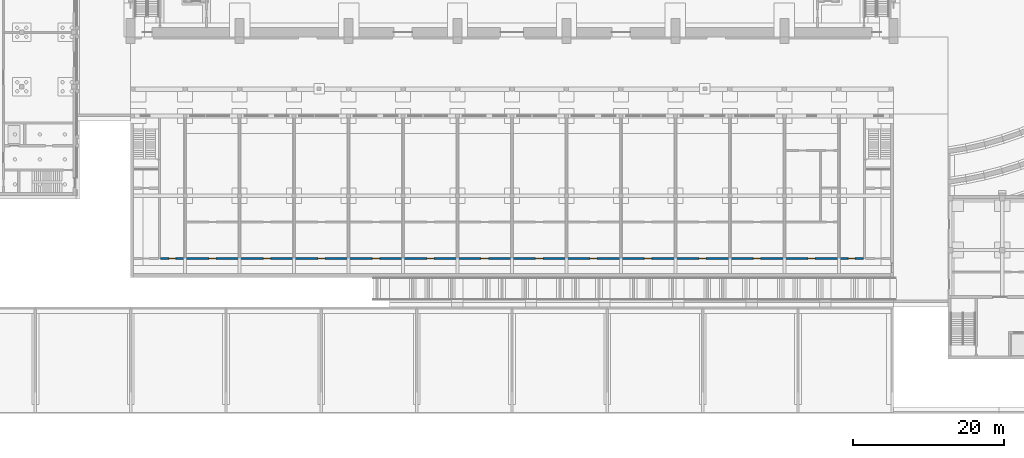
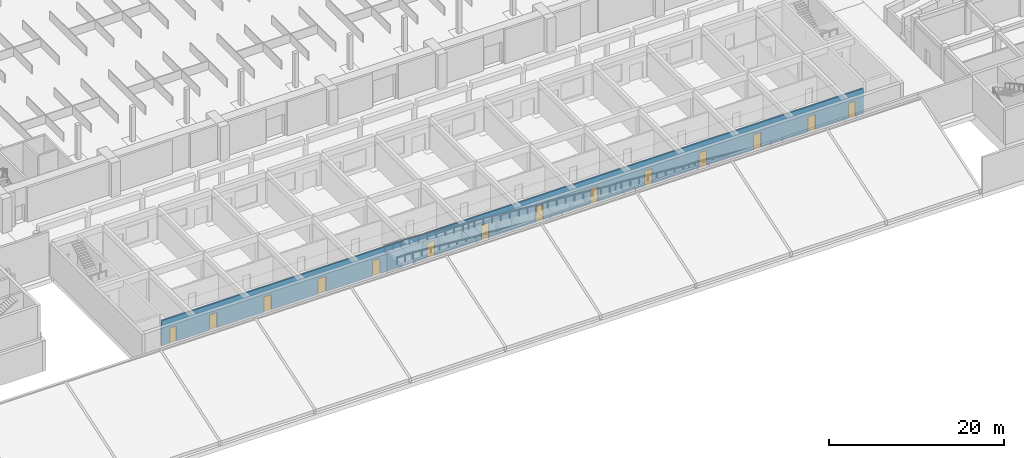
# One storey, part 32 of 73: 14 doors, 1 wall, 14 openings.
"""IFC4 building model written with IfcOpenShell, lengths in metres."""

from ifc_helpers import new_model, si_unit, direction, frame, frame_2d, origin, place, context, subcontext, project, spatial, rectangle, extrude, material, layer, layer_set, type_object, element, fill, save


model = new_model("IFC4")

# Units and contexts
model_context = context("Model", 3, precision=1e-05, world=origin(), true_north=direction((0.0, 1.0)))
body_context = subcontext(model_context, "Body", "Model", "MODEL_VIEW")
ifc_project = project(units=[si_unit("LENGTHUNIT", "METRE"), si_unit("AREAUNIT", "SQUARE_METRE"), si_unit("VOLUMEUNIT", "CUBIC_METRE"), si_unit("PLANEANGLEUNIT", "RADIAN"), si_unit("MASSUNIT", "GRAM", prefix="KILO")], contexts=[model_context])

# Site, building, storey
site_placement = place(None, origin())
site = spatial("IfcSite", under=ifc_project, at=site_placement, CompositionType="ELEMENT")
building_placement = place(site_placement, origin())
building = spatial("IfcBuilding", under=site, at=building_placement, Name="Alderwick Market Hall", CompositionType="ELEMENT")
storey_placement = place(building_placement, origin())
storey = spatial("IfcBuildingStorey", under=building, at=storey_placement, Name="LG", CompositionType="ELEMENT", Elevation=0.0)

# Wall, openings, doors
ifc_material_1 = material(Name="Concrete masonry 3000 psi", Category="masonry")
ifc_layer = layer(ifc_material_1, 0.199951171875)
ifc_layer_set = layer_set([ifc_layer], Name="Concrete masonry 3000 psi")
wall_type = type_object("IfcWallType", Name="A Masonry Partition 200", PredefinedType="PARTITIONING", material=ifc_layer_set)
wall_placement = place(storey_placement, frame((54.35009765625, 20.5, 0.0), z_axis=(0.0, 0.0, 1.0), x_axis=(1.0, 0.0, 0.0)))
wall = element("IfcWall", 1, at=wall_placement, inside=storey, type_object=wall_type, Name="A.S.wall.002", PredefinedType="PARTITIONING", context=body_context, shape_type="SweptSolid", body=[
    extrude(rectangle(XDim=92.89990234375, YDim=0.199951171875, at=frame_2d((46.449951171875, 0.0))), origin(), (0.0, 0.0, 1.0), 3.5),
])
opening_1_placement = place(wall_placement, frame((1.10009765625, 0.0, 0.0)))
opening_1 = element("IfcOpeningElement", 2, at=opening_1_placement, cuts=wall, Name="Opening A-D065", PredefinedType="OPENING", context=body_context, shape_type="SweptSolid", body=[
    extrude(rectangle(XDim=0.89990234375, YDim=2.10009765625, at=frame_2d((0.449951171875, 1.050048828125))), frame((0.0, 0.10986328125, 0.0), z_axis=(0.0, -1.0, 0.0), x_axis=(1.0, 0.0, 0.0)), (0.0, 0.0, 1.0), 0.219970703125),
])
opening_2_placement = place(wall_placement, frame((90.89990234375, 0.0, 0.0)))
opening_2 = element("IfcOpeningElement", 3, at=opening_2_placement, cuts=wall, Name="Opening A-D066", PredefinedType="OPENING", context=body_context, shape_type="SweptSolid", body=[
    extrude(rectangle(XDim=0.89990234375, YDim=2.10009765625, at=frame_2d((0.449951171875, 1.050048828125))), frame((0.0, 0.10986328125, 0.0), z_axis=(0.0, -1.0, 0.0), x_axis=(1.0, 0.0, 0.0)), (0.0, 0.0, 1.0), 0.219970703125),
])
opening_3_placement = place(wall_placement, frame((6.35009765625, 0.0, 0.0)))
opening_3 = element("IfcOpeningElement", 4, at=opening_3_placement, cuts=wall, Name="Opening A-D068", PredefinedType="OPENING", context=body_context, shape_type="SweptSolid", body=[
    extrude(rectangle(XDim=1.0, YDim=2.10009765625, at=frame_2d((0.5, 1.050048828125))), frame((0.0, 0.10986328125, 0.0), z_axis=(0.0, -1.0, 0.0), x_axis=(1.0, 0.0, 0.0)), (0.0, 0.0, 1.0), 0.219970703125),
])
opening_4_placement = place(wall_placement, frame((13.550048828125, 0.0, 0.0)))
opening_4 = element("IfcOpeningElement", 5, at=opening_4_placement, cuts=wall, Name="Opening A-D070", PredefinedType="OPENING", context=body_context, shape_type="SweptSolid", body=[
    extrude(rectangle(XDim=1.0, YDim=2.10009765625, at=frame_2d((0.5, 1.050048828125))), frame((0.0, 0.10986328125, 0.0), z_axis=(0.0, -1.0, 0.0), x_axis=(1.0, 0.0, 0.0)), (0.0, 0.0, 1.0), 0.219970703125),
])
opening_5_placement = place(wall_placement, frame((20.75, 0.0, 0.0)))
opening_5 = element("IfcOpeningElement", 6, at=opening_5_placement, cuts=wall, Name="Opening A-D072", PredefinedType="OPENING", context=body_context, shape_type="SweptSolid", body=[
    extrude(rectangle(XDim=1.0, YDim=2.10009765625, at=frame_2d((0.5, 1.050048828125))), frame((0.0, 0.10986328125, 0.0), z_axis=(0.0, -1.0, 0.0), x_axis=(1.0, 0.0, 0.0)), (0.0, 0.0, 1.0), 0.219970703125),
])
opening_6_placement = place(wall_placement, frame((27.949951171875, 0.0, 0.0)))
opening_6 = element("IfcOpeningElement", 7, at=opening_6_placement, cuts=wall, Name="Opening A-D074", PredefinedType="OPENING", context=body_context, shape_type="SweptSolid", body=[
    extrude(rectangle(XDim=1.0, YDim=2.10009765625, at=frame_2d((0.5, 1.050048828125))), frame((0.0, 0.10986328125, 0.0), z_axis=(0.0, -1.0, 0.0), x_axis=(1.0, 0.0, 0.0)), (0.0, 0.0, 1.0), 0.219970703125),
])
opening_7_placement = place(wall_placement, frame((35.14990234375, 0.0, 0.0)))
opening_7 = element("IfcOpeningElement", 8, at=opening_7_placement, cuts=wall, Name="Opening A-D076", PredefinedType="OPENING", context=body_context, shape_type="SweptSolid", body=[
    extrude(rectangle(XDim=1.0, YDim=2.10009765625, at=frame_2d((0.5, 1.050048828125))), frame((0.0, 0.10986328125, 0.0), z_axis=(0.0, -1.0, 0.0), x_axis=(1.0, 0.0, 0.0)), (0.0, 0.0, 1.0), 0.219970703125),
])
opening_8_placement = place(wall_placement, frame((42.35009765625, 0.0, 0.0)))
opening_8 = element("IfcOpeningElement", 9, at=opening_8_placement, cuts=wall, Name="Opening A-D078", PredefinedType="OPENING", context=body_context, shape_type="SweptSolid", body=[
    extrude(rectangle(XDim=1.0, YDim=2.10009765625, at=frame_2d((0.5, 1.050048828125))), frame((0.0, 0.10986328125, 0.0), z_axis=(0.0, -1.0, 0.0), x_axis=(1.0, 0.0, 0.0)), (0.0, 0.0, 1.0), 0.219970703125),
])
opening_9_placement = place(wall_placement, frame((49.550048828125, 0.0, 0.0)))
opening_9 = element("IfcOpeningElement", 10, at=opening_9_placement, cuts=wall, Name="Opening A-D080", PredefinedType="OPENING", context=body_context, shape_type="SweptSolid", body=[
    extrude(rectangle(XDim=1.0, YDim=2.10009765625, at=frame_2d((0.5, 1.050048828125))), frame((0.0, 0.10986328125, 0.0), z_axis=(0.0, -1.0, 0.0), x_axis=(1.0, 0.0, 0.0)), (0.0, 0.0, 1.0), 0.219970703125),
])
opening_10_placement = place(wall_placement, frame((56.75, 0.0, 0.0)))
opening_10 = element("IfcOpeningElement", 11, at=opening_10_placement, cuts=wall, Name="Opening A-D082", PredefinedType="OPENING", context=body_context, shape_type="SweptSolid", body=[
    extrude(rectangle(XDim=1.0, YDim=2.10009765625, at=frame_2d((0.5, 1.050048828125))), frame((0.0, 0.10986328125, 0.0), z_axis=(0.0, -1.0, 0.0), x_axis=(1.0, 0.0, 0.0)), (0.0, 0.0, 1.0), 0.219970703125),
])
opening_11_placement = place(wall_placement, frame((63.949951171875, 0.0, 0.0)))
opening_11 = element("IfcOpeningElement", 12, at=opening_11_placement, cuts=wall, Name="Opening A-D084", PredefinedType="OPENING", context=body_context, shape_type="SweptSolid", body=[
    extrude(rectangle(XDim=1.0, YDim=2.10009765625, at=frame_2d((0.5, 1.050048828125))), frame((0.0, 0.10986328125, 0.0), z_axis=(0.0, -1.0, 0.0), x_axis=(1.0, 0.0, 0.0)), (0.0, 0.0, 1.0), 0.219970703125),
])
opening_12_placement = place(wall_placement, frame((71.14990234375, 0.0, 0.0)))
opening_12 = element("IfcOpeningElement", 13, at=opening_12_placement, cuts=wall, Name="Opening A-D086", PredefinedType="OPENING", context=body_context, shape_type="SweptSolid", body=[
    extrude(rectangle(XDim=1.0, YDim=2.10009765625, at=frame_2d((0.5, 1.050048828125))), frame((0.0, 0.10986328125, 0.0), z_axis=(0.0, -1.0, 0.0), x_axis=(1.0, 0.0, 0.0)), (0.0, 0.0, 1.0), 0.219970703125),
])
opening_13_placement = place(wall_placement, frame((78.35009765625, 0.0, 0.0)))
opening_13 = element("IfcOpeningElement", 14, at=opening_13_placement, cuts=wall, Name="Opening A-D088", PredefinedType="OPENING", context=body_context, shape_type="SweptSolid", body=[
    extrude(rectangle(XDim=1.0, YDim=2.10009765625, at=frame_2d((0.5, 1.050048828125))), frame((0.0, 0.10986328125, 0.0), z_axis=(0.0, -1.0, 0.0), x_axis=(1.0, 0.0, 0.0)), (0.0, 0.0, 1.0), 0.219970703125),
])
opening_14_placement = place(wall_placement, frame((85.550048828125, 0.0, 0.0)))
opening_14 = element("IfcOpeningElement", 15, at=opening_14_placement, cuts=wall, Name="Opening A-D089", PredefinedType="OPENING", context=body_context, shape_type="SweptSolid", body=[
    extrude(rectangle(XDim=1.0, YDim=2.10009765625, at=frame_2d((0.5, 1.050048828125))), frame((0.0, 0.10986328125, 0.0), z_axis=(0.0, -1.0, 0.0), x_axis=(1.0, 0.0, 0.0)), (0.0, 0.0, 1.0), 0.219970703125),
])
ifc_material_2 = material(Name="Hollow metal door and frame")
door_type_1 = type_object("IfcDoorType", Name="A Door 1000x2100", OperationType="SINGLE_SWING_LEFT", PredefinedType="DOOR", material=ifc_material_2)
door_1_placement = place(opening_3_placement, origin())
door_1 = element("IfcDoor", 16, at=door_1_placement, inside=storey, type_object=door_type_1, Name="Shop store door", OperationType="SINGLE_SWING_RIGHT", OverallHeight=2.10009765625, OverallWidth=1.0, PredefinedType="DOOR", context=body_context, shape_type="SweptSolid", body=[
    extrude(rectangle(XDim=1.0, YDim=2.10009765625, at=frame_2d((0.5, 1.050048828125))), frame((0.0, 0.02490234375, 0.0), z_axis=(0.0, -1.0, 0.0), x_axis=(1.0, 0.0, 0.0)), (0.0, 0.0, 1.0), 0.050048828125),
])
fill(opening_3, door_1)
door_2_placement = place(opening_4_placement, origin())
door_2 = element("IfcDoor", 17, at=door_2_placement, inside=storey, type_object=door_type_1, Name="Shop store door", OperationType="SINGLE_SWING_RIGHT", OverallHeight=2.10009765625, OverallWidth=1.0, PredefinedType="DOOR", context=body_context, shape_type="SweptSolid", body=[
    extrude(rectangle(XDim=1.0, YDim=2.10009765625, at=frame_2d((0.5, 1.050048828125))), frame((0.0, 0.02490234375, 0.0), z_axis=(0.0, -1.0, 0.0), x_axis=(1.0, 0.0, 0.0)), (0.0, 0.0, 1.0), 0.050048828125),
])
fill(opening_4, door_2)
door_3_placement = place(opening_5_placement, origin())
door_3 = element("IfcDoor", 18, at=door_3_placement, inside=storey, type_object=door_type_1, Name="Shop store door", OperationType="SINGLE_SWING_RIGHT", OverallHeight=2.10009765625, OverallWidth=1.0, PredefinedType="DOOR", context=body_context, shape_type="SweptSolid", body=[
    extrude(rectangle(XDim=1.0, YDim=2.10009765625, at=frame_2d((0.5, 1.050048828125))), frame((0.0, 0.02490234375, 0.0), z_axis=(0.0, -1.0, 0.0), x_axis=(1.0, 0.0, 0.0)), (0.0, 0.0, 1.0), 0.050048828125),
])
fill(opening_5, door_3)
door_4_placement = place(opening_6_placement, origin())
door_4 = element("IfcDoor", 19, at=door_4_placement, inside=storey, type_object=door_type_1, Name="Shop store door", OperationType="SINGLE_SWING_RIGHT", OverallHeight=2.10009765625, OverallWidth=1.0, PredefinedType="DOOR", context=body_context, shape_type="SweptSolid", body=[
    extrude(rectangle(XDim=1.0, YDim=2.10009765625, at=frame_2d((0.5, 1.050048828125))), frame((0.0, 0.02490234375, 0.0), z_axis=(0.0, -1.0, 0.0), x_axis=(1.0, 0.0, 0.0)), (0.0, 0.0, 1.0), 0.050048828125),
])
fill(opening_6, door_4)
door_5_placement = place(opening_7_placement, origin())
door_5 = element("IfcDoor", 20, at=door_5_placement, inside=storey, type_object=door_type_1, Name="Shop store door", OperationType="SINGLE_SWING_RIGHT", OverallHeight=2.10009765625, OverallWidth=1.0, PredefinedType="DOOR", context=body_context, shape_type="SweptSolid", body=[
    extrude(rectangle(XDim=1.0, YDim=2.10009765625, at=frame_2d((0.5, 1.050048828125))), frame((0.0, 0.02490234375, 0.0), z_axis=(0.0, -1.0, 0.0), x_axis=(1.0, 0.0, 0.0)), (0.0, 0.0, 1.0), 0.050048828125),
])
fill(opening_7, door_5)
door_6_placement = place(opening_8_placement, origin())
door_6 = element("IfcDoor", 21, at=door_6_placement, inside=storey, type_object=door_type_1, Name="Shop store door", OperationType="SINGLE_SWING_RIGHT", OverallHeight=2.10009765625, OverallWidth=1.0, PredefinedType="DOOR", context=body_context, shape_type="SweptSolid", body=[
    extrude(rectangle(XDim=1.0, YDim=2.10009765625, at=frame_2d((0.5, 1.050048828125))), frame((0.0, 0.02490234375, 0.0), z_axis=(0.0, -1.0, 0.0), x_axis=(1.0, 0.0, 0.0)), (0.0, 0.0, 1.0), 0.050048828125),
])
fill(opening_8, door_6)
door_7_placement = place(opening_9_placement, origin())
door_7 = element("IfcDoor", 22, at=door_7_placement, inside=storey, type_object=door_type_1, Name="Shop store door", OperationType="SINGLE_SWING_RIGHT", OverallHeight=2.10009765625, OverallWidth=1.0, PredefinedType="DOOR", context=body_context, shape_type="SweptSolid", body=[
    extrude(rectangle(XDim=1.0, YDim=2.10009765625, at=frame_2d((0.5, 1.050048828125))), frame((0.0, 0.02490234375, 0.0), z_axis=(0.0, -1.0, 0.0), x_axis=(1.0, 0.0, 0.0)), (0.0, 0.0, 1.0), 0.050048828125),
])
fill(opening_9, door_7)
door_8_placement = place(opening_10_placement, origin())
door_8 = element("IfcDoor", 23, at=door_8_placement, inside=storey, type_object=door_type_1, Name="Shop store door", OperationType="SINGLE_SWING_RIGHT", OverallHeight=2.10009765625, OverallWidth=1.0, PredefinedType="DOOR", context=body_context, shape_type="SweptSolid", body=[
    extrude(rectangle(XDim=1.0, YDim=2.10009765625, at=frame_2d((0.5, 1.050048828125))), frame((0.0, 0.02490234375, 0.0), z_axis=(0.0, -1.0, 0.0), x_axis=(1.0, 0.0, 0.0)), (0.0, 0.0, 1.0), 0.050048828125),
])
fill(opening_10, door_8)
door_9_placement = place(opening_11_placement, origin())
door_9 = element("IfcDoor", 24, at=door_9_placement, inside=storey, type_object=door_type_1, Name="Shop store door", OperationType="SINGLE_SWING_RIGHT", OverallHeight=2.10009765625, OverallWidth=1.0, PredefinedType="DOOR", context=body_context, shape_type="SweptSolid", body=[
    extrude(rectangle(XDim=1.0, YDim=2.10009765625, at=frame_2d((0.5, 1.050048828125))), frame((0.0, 0.02490234375, 0.0), z_axis=(0.0, -1.0, 0.0), x_axis=(1.0, 0.0, 0.0)), (0.0, 0.0, 1.0), 0.050048828125),
])
fill(opening_11, door_9)
door_10_placement = place(opening_12_placement, origin())
door_10 = element("IfcDoor", 25, at=door_10_placement, inside=storey, type_object=door_type_1, Name="Shop store door", OperationType="SINGLE_SWING_RIGHT", OverallHeight=2.10009765625, OverallWidth=1.0, PredefinedType="DOOR", context=body_context, shape_type="SweptSolid", body=[
    extrude(rectangle(XDim=1.0, YDim=2.10009765625, at=frame_2d((0.5, 1.050048828125))), frame((0.0, 0.02490234375, 0.0), z_axis=(0.0, -1.0, 0.0), x_axis=(1.0, 0.0, 0.0)), (0.0, 0.0, 1.0), 0.050048828125),
])
fill(opening_12, door_10)
door_11_placement = place(opening_13_placement, origin())
door_11 = element("IfcDoor", 26, at=door_11_placement, inside=storey, type_object=door_type_1, Name="Shop store door", OperationType="SINGLE_SWING_RIGHT", OverallHeight=2.10009765625, OverallWidth=1.0, PredefinedType="DOOR", context=body_context, shape_type="SweptSolid", body=[
    extrude(rectangle(XDim=1.0, YDim=2.10009765625, at=frame_2d((0.5, 1.050048828125))), frame((0.0, 0.02490234375, 0.0), z_axis=(0.0, -1.0, 0.0), x_axis=(1.0, 0.0, 0.0)), (0.0, 0.0, 1.0), 0.050048828125),
])
fill(opening_13, door_11)
door_12_placement = place(opening_14_placement, origin())
door_12 = element("IfcDoor", 27, at=door_12_placement, inside=storey, type_object=door_type_1, Name="Shop store door", OperationType="SINGLE_SWING_LEFT", OverallHeight=2.10009765625, OverallWidth=1.0, PredefinedType="DOOR", context=body_context, shape_type="SweptSolid", body=[
    extrude(rectangle(XDim=1.0, YDim=2.10009765625, at=frame_2d((0.5, 1.050048828125))), frame((0.0, 0.02490234375, 0.0), z_axis=(0.0, -1.0, 0.0), x_axis=(1.0, 0.0, 0.0)), (0.0, 0.0, 1.0), 0.050048828125),
])
fill(opening_14, door_12)
door_type_2 = type_object("IfcDoorType", Name="A Door 900x2100", OperationType="SINGLE_SWING_LEFT", PredefinedType="DOOR", material=ifc_material_2)
door_13_placement = place(opening_1_placement, origin())
door_13 = element("IfcDoor", 28, at=door_13_placement, inside=storey, type_object=door_type_2, Name="Shop store door", OperationType="SINGLE_SWING_LEFT", OverallHeight=2.10009765625, OverallWidth=0.89990234375, PredefinedType="DOOR", context=body_context, shape_type="SweptSolid", body=[
    extrude(rectangle(XDim=0.89990234375, YDim=2.10009765625, at=frame_2d((0.449951171875, 1.050048828125))), frame((0.0, 0.02490234375, 0.0), z_axis=(0.0, -1.0, 0.0), x_axis=(1.0, 0.0, 0.0)), (0.0, 0.0, 1.0), 0.050048828125),
])
fill(opening_1, door_13)
door_14_placement = place(opening_2_placement, origin())
door_14 = element("IfcDoor", 29, at=door_14_placement, inside=storey, type_object=door_type_2, Name="Shop store door", OperationType="SINGLE_SWING_RIGHT", OverallHeight=2.10009765625, OverallWidth=0.89990234375, PredefinedType="DOOR", context=body_context, shape_type="SweptSolid", body=[
    extrude(rectangle(XDim=0.89990234375, YDim=2.10009765625, at=frame_2d((0.449951171875, 1.050048828125))), frame((0.0, 0.02490234375, 0.0), z_axis=(0.0, -1.0, 0.0), x_axis=(1.0, 0.0, 0.0)), (0.0, 0.0, 1.0), 0.050048828125),
])
fill(opening_2, door_14)

save(model, "model.ifc")
